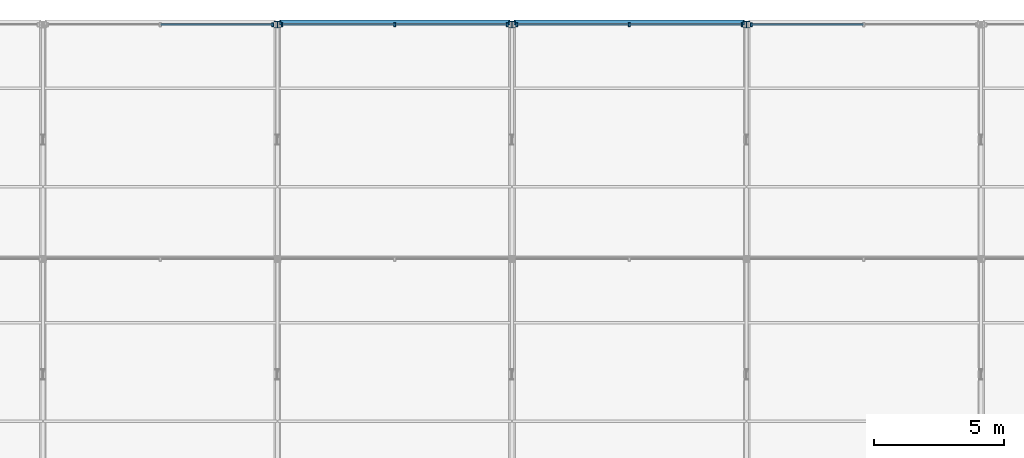
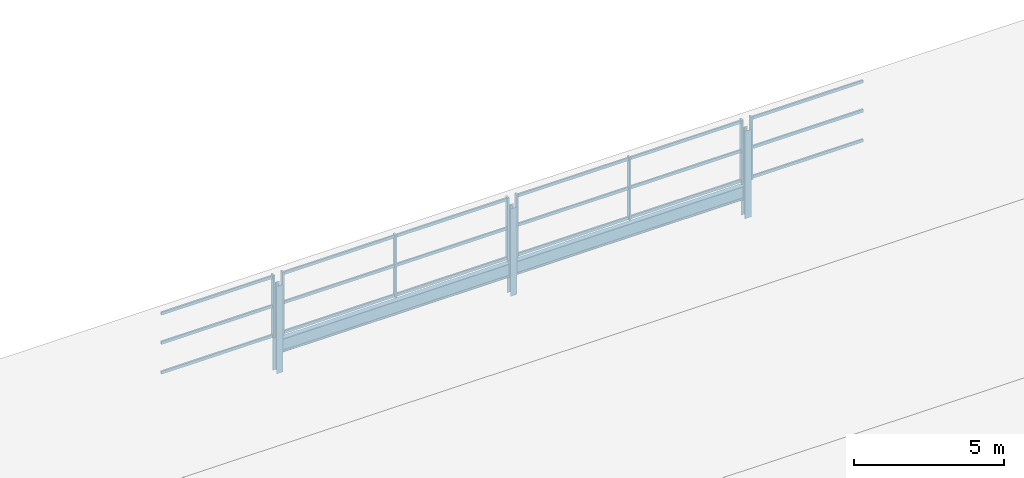
# One storey, part 104 of 163: 29 members, 2 beams, 4 elements without a shape of their own.
"""IFC4 building model written with IfcOpenShell, lengths in metres."""

from ifc_helpers import new_model, si_unit, direction, frame, origin, origin_2d, place, context, subcontext, project, spatial, rectangle, i_section, extrude, material, material_profile, profile_set, type_object, element, aggregate, save


model = new_model("IFC4")

# Units and contexts
model_context = context("Model", 3, precision=1e-05, world=origin(), true_north=direction((0.0, 1.0)))
body_context = subcontext(model_context, "Body", "Model", "MODEL_VIEW")
ifc_project = project(units=[si_unit("LENGTHUNIT", "METRE"), si_unit("AREAUNIT", "SQUARE_METRE"), si_unit("VOLUMEUNIT", "CUBIC_METRE"), si_unit("PLANEANGLEUNIT", "RADIAN"), si_unit("MASSUNIT", "GRAM", prefix="KILO")], contexts=[model_context])

# Site, building, storey
site_placement = place(None, origin())
site = spatial("IfcSite", under=ifc_project, at=site_placement, CompositionType="ELEMENT")
building_placement = place(site_placement, origin())
building = spatial("IfcBuilding", under=site, at=building_placement, Name="Tharagai Park Tramway Depot", CompositionType="ELEMENT")
storey_placement = place(building_placement, frame((0.0, 0.0, 8.39990234375)))
storey = spatial("IfcBuildingStorey", under=building, at=storey_placement, Name="L02", CompositionType="ELEMENT", Elevation=8.39990234375)

# Beams
ifc_material_1 = material(Name="Steel E350", Category="steel")
ifc_material_profile_1 = material_profile(ifc_material_1, i_section(OverallWidth=0.18994140625, OverallDepth=0.550048828125, WebThickness=0.01123046875, FlangeThickness=0.019287109375, FilletRadius=0.01806640625, at=origin_2d()), Name="ISMB 550")
ifc_profile_set_1 = profile_set([ifc_material_profile_1], Name="Steel E350")
beam_type = type_object("IfcBeamType", Name="BM-09", PredefinedType="BEAM", material=ifc_profile_set_1)
for number, where, z_axis, x_axis, name in (
    (1, (99.080078125, 144.0, 0.72509765625), (1.0, 0.0, 0.0), (0.0, 1.0, 0.0), "Sawtooth Valley Girder BM-09"),
    (2, (108.080078125, 144.0, 0.72509765625), (1.0, 0.0, 0.0), (0.0, 1.0, 0.0), "Sawtooth Valley Girder BM-09"),
):
    element("IfcBeam", number, at=place(storey_placement, frame(where, z_axis=z_axis, x_axis=x_axis)), inside=storey, type_object=beam_type, Name=name, PredefinedType="BEAM", context=body_context, shape_type="SweptSolid", body=[
        extrude(i_section(OverallWidth=0.18994140625, OverallDepth=0.550048828125, WebThickness=0.01123046875, FlangeThickness=0.019287109375, FilletRadius=0.01806640625, at=origin_2d()), origin(), (0.0, 0.0, 1.0), 8.83984375),
    ])

# Members
ifc_material_profile_2 = material_profile(ifc_material_1, i_section(OverallWidth=0.25, OverallDepth=0.25, WebThickness=0.0087890625, FlangeThickness=0.009765625, FilletRadius=0.010009765625, at=origin_2d()), Name="ISHB 250")
ifc_profile_set_2 = profile_set([ifc_material_profile_2], Name="Steel E350")
member_type_1 = type_object("IfcMemberType", Name="BR-01", PredefinedType="BRACE", material=ifc_profile_set_2)
for number, where, z_axis, x_axis, name in (
    (3, (99.0, 143.919921875, -0.25), (0.0, 0.0, 1.0), (1.0, 0.0, 0.0), "Sawtooth North Vertical Post BR-01"),
    (4, (108.0, 143.919921875, -0.25), (0.0, 0.0, 1.0), (1.0, 0.0, 0.0), "Sawtooth North Vertical Post BR-01"),
    (5, (117.0, 143.919921875, -0.25), (0.0, 0.0, 1.0), (1.0, 0.0, 0.0), "Sawtooth North Vertical Post BR-01"),
):
    element("IfcMember", number, at=place(storey_placement, frame(where, z_axis=z_axis, x_axis=x_axis)), inside=storey, type_object=member_type_1, Name=name, PredefinedType="BRACE", context=body_context, shape_type="SweptSolid", body=[
        extrude(i_section(OverallWidth=0.25, OverallDepth=0.25, WebThickness=0.0087890625, FlangeThickness=0.009765625, FilletRadius=0.010009765625, at=origin_2d()), origin(), (0.0, 0.0, 1.0), 3.55517578125),
    ])

# Curtain wall, members
ifc_material_2 = material(Name="Anodised aluminium", Category="aluminium")
curtain_wall_type = type_object("IfcCurtainWallType", Name="CW-03", PredefinedType="NOTDEFINED", material=ifc_material_2)
curtain_wall_1_placement = place(storey_placement, origin())
curtain_wall_1 = element("IfcCurtainWall", 6, at=curtain_wall_1_placement, inside=storey, type_object=curtain_wall_type, Name="Sawtooth North-Light Clerestory CW-03", PredefinedType="NOTDEFINED")
ifc_material_profile_3 = material_profile(ifc_material_2, rectangle(XDim=0.06494140625, YDim=0.1201171875, at=origin_2d()), Name="ALU 65x120")
ifc_profile_set_3 = profile_set([ifc_material_profile_3], Name="Anodised aluminium")
member_type_2 = type_object("IfcMemberType", Name="CM-01", PredefinedType="USERDEFINED", material=ifc_profile_set_3)
member_1_placement = place(storey_placement, frame((94.514892578125, 143.919921875, 1.26513671875), z_axis=(1.0, 0.0, 0.0), x_axis=(0.0, 1.0, 0.0)))
member_1 = element("IfcMember", 7, at=member_1_placement, type_object=member_type_2, Name="Sawtooth North-Light Clerestory Transom 2.1", ObjectType="TRANSOM", PredefinedType="USERDEFINED", context=body_context, shape_type="SweptSolid", body=[
    extrude(rectangle(XDim=0.06494140625, YDim=0.1201171875, at=origin_2d()), origin(), (0.0, 0.0, 1.0), 4.2900390625),
])
member_2_placement = place(storey_placement, frame((94.514892578125, 143.919921875, 2.4736328125), z_axis=(1.0, 0.0, 0.0), x_axis=(0.0, 1.0, 0.0)))
member_2 = element("IfcMember", 8, at=member_2_placement, type_object=member_type_2, Name="Sawtooth North-Light Clerestory Transom 2.2", ObjectType="TRANSOM", PredefinedType="USERDEFINED", context=body_context, shape_type="SweptSolid", body=[
    extrude(rectangle(XDim=0.06494140625, YDim=0.1201171875, at=origin_2d()), origin(), (0.0, 0.0, 1.0), 4.2900390625),
])
member_3_placement = place(storey_placement, frame((94.514892578125, 143.919921875, 3.662353515625), z_axis=(1.0, 0.0, 0.0), x_axis=(0.0, 1.0, 0.0)))
member_3 = element("IfcMember", 9, at=member_3_placement, type_object=member_type_2, Name="Sawtooth North-Light Clerestory Transom 2.3", ObjectType="TRANSOM", PredefinedType="USERDEFINED", context=body_context, shape_type="SweptSolid", body=[
    extrude(rectangle(XDim=0.06494140625, YDim=0.1201171875, at=origin_2d()), origin(), (0.0, 0.0, 1.0), 4.2900390625),
])

curtain_wall_2_placement = place(storey_placement, origin())
curtain_wall_2 = element("IfcCurtainWall", 10, at=curtain_wall_2_placement, inside=storey, type_object=curtain_wall_type, Name="Sawtooth North-Light Clerestory CW-03", PredefinedType="NOTDEFINED")
member_4_placement = place(storey_placement, frame((99.195068359375, 143.919921875, 1.26513671875), z_axis=(1.0, 0.0, 0.0), x_axis=(0.0, 1.0, 0.0)))
member_4 = element("IfcMember", 11, at=member_4_placement, type_object=member_type_2, Name="Sawtooth North-Light Clerestory Transom 1.1", ObjectType="TRANSOM", PredefinedType="USERDEFINED", context=body_context, shape_type="SweptSolid", body=[
    extrude(rectangle(XDim=0.06494140625, YDim=0.1201171875, at=origin_2d()), origin(), (0.0, 0.0, 1.0), 4.2900390625),
])
member_5_placement = place(storey_placement, frame((99.195068359375, 143.919921875, 2.4736328125), z_axis=(1.0, 0.0, 0.0), x_axis=(0.0, 1.0, 0.0)))
member_5 = element("IfcMember", 12, at=member_5_placement, type_object=member_type_2, Name="Sawtooth North-Light Clerestory Transom 1.2", ObjectType="TRANSOM", PredefinedType="USERDEFINED", context=body_context, shape_type="SweptSolid", body=[
    extrude(rectangle(XDim=0.06494140625, YDim=0.1201171875, at=origin_2d()), origin(), (0.0, 0.0, 1.0), 4.2900390625),
])
member_6_placement = place(storey_placement, frame((99.195068359375, 143.919921875, 3.662353515625), z_axis=(1.0, 0.0, 0.0), x_axis=(0.0, 1.0, 0.0)))
member_6 = element("IfcMember", 13, at=member_6_placement, type_object=member_type_2, Name="Sawtooth North-Light Clerestory Transom 1.3", ObjectType="TRANSOM", PredefinedType="USERDEFINED", context=body_context, shape_type="SweptSolid", body=[
    extrude(rectangle(XDim=0.06494140625, YDim=0.1201171875, at=origin_2d()), origin(), (0.0, 0.0, 1.0), 4.2900390625),
])
member_7_placement = place(storey_placement, frame((103.514892578125, 143.919921875, 1.26513671875), z_axis=(1.0, 0.0, 0.0), x_axis=(0.0, 1.0, 0.0)))
member_7 = element("IfcMember", 14, at=member_7_placement, type_object=member_type_2, Name="Sawtooth North-Light Clerestory Transom 2.1", ObjectType="TRANSOM", PredefinedType="USERDEFINED", context=body_context, shape_type="SweptSolid", body=[
    extrude(rectangle(XDim=0.06494140625, YDim=0.1201171875, at=origin_2d()), origin(), (0.0, 0.0, 1.0), 4.2900390625),
])
member_8_placement = place(storey_placement, frame((103.514892578125, 143.919921875, 2.4736328125), z_axis=(1.0, 0.0, 0.0), x_axis=(0.0, 1.0, 0.0)))
member_8 = element("IfcMember", 15, at=member_8_placement, type_object=member_type_2, Name="Sawtooth North-Light Clerestory Transom 2.2", ObjectType="TRANSOM", PredefinedType="USERDEFINED", context=body_context, shape_type="SweptSolid", body=[
    extrude(rectangle(XDim=0.06494140625, YDim=0.1201171875, at=origin_2d()), origin(), (0.0, 0.0, 1.0), 4.2900390625),
])
member_9_placement = place(storey_placement, frame((103.514892578125, 143.919921875, 3.662353515625), z_axis=(1.0, 0.0, 0.0), x_axis=(0.0, 1.0, 0.0)))
member_9 = element("IfcMember", 16, at=member_9_placement, type_object=member_type_2, Name="Sawtooth North-Light Clerestory Transom 2.3", ObjectType="TRANSOM", PredefinedType="USERDEFINED", context=body_context, shape_type="SweptSolid", body=[
    extrude(rectangle(XDim=0.06494140625, YDim=0.1201171875, at=origin_2d()), origin(), (0.0, 0.0, 1.0), 4.2900390625),
])

curtain_wall_3_placement = place(storey_placement, origin())
curtain_wall_3 = element("IfcCurtainWall", 17, at=curtain_wall_3_placement, inside=storey, type_object=curtain_wall_type, Name="Sawtooth North-Light Clerestory CW-03", PredefinedType="NOTDEFINED")
member_10_placement = place(storey_placement, frame((108.195068359375, 143.919921875, 1.26513671875), z_axis=(1.0, 0.0, 0.0), x_axis=(0.0, 1.0, 0.0)))
member_10 = element("IfcMember", 18, at=member_10_placement, type_object=member_type_2, Name="Sawtooth North-Light Clerestory Transom 1.1", ObjectType="TRANSOM", PredefinedType="USERDEFINED", context=body_context, shape_type="SweptSolid", body=[
    extrude(rectangle(XDim=0.06494140625, YDim=0.1201171875, at=origin_2d()), origin(), (0.0, 0.0, 1.0), 4.2900390625),
])
member_11_placement = place(storey_placement, frame((108.195068359375, 143.919921875, 2.4736328125), z_axis=(1.0, 0.0, 0.0), x_axis=(0.0, 1.0, 0.0)))
member_11 = element("IfcMember", 19, at=member_11_placement, type_object=member_type_2, Name="Sawtooth North-Light Clerestory Transom 1.2", ObjectType="TRANSOM", PredefinedType="USERDEFINED", context=body_context, shape_type="SweptSolid", body=[
    extrude(rectangle(XDim=0.06494140625, YDim=0.1201171875, at=origin_2d()), origin(), (0.0, 0.0, 1.0), 4.2900390625),
])
member_12_placement = place(storey_placement, frame((108.195068359375, 143.919921875, 3.662353515625), z_axis=(1.0, 0.0, 0.0), x_axis=(0.0, 1.0, 0.0)))
member_12 = element("IfcMember", 20, at=member_12_placement, type_object=member_type_2, Name="Sawtooth North-Light Clerestory Transom 1.3", ObjectType="TRANSOM", PredefinedType="USERDEFINED", context=body_context, shape_type="SweptSolid", body=[
    extrude(rectangle(XDim=0.06494140625, YDim=0.1201171875, at=origin_2d()), origin(), (0.0, 0.0, 1.0), 4.2900390625),
])
member_13_placement = place(storey_placement, frame((112.514892578125, 143.919921875, 1.26513671875), z_axis=(1.0, 0.0, 0.0), x_axis=(0.0, 1.0, 0.0)))
member_13 = element("IfcMember", 21, at=member_13_placement, type_object=member_type_2, Name="Sawtooth North-Light Clerestory Transom 2.1", ObjectType="TRANSOM", PredefinedType="USERDEFINED", context=body_context, shape_type="SweptSolid", body=[
    extrude(rectangle(XDim=0.06494140625, YDim=0.1201171875, at=origin_2d()), origin(), (0.0, 0.0, 1.0), 4.2900390625),
])
member_14_placement = place(storey_placement, frame((112.514892578125, 143.919921875, 2.4736328125), z_axis=(1.0, 0.0, 0.0), x_axis=(0.0, 1.0, 0.0)))
member_14 = element("IfcMember", 22, at=member_14_placement, type_object=member_type_2, Name="Sawtooth North-Light Clerestory Transom 2.2", ObjectType="TRANSOM", PredefinedType="USERDEFINED", context=body_context, shape_type="SweptSolid", body=[
    extrude(rectangle(XDim=0.06494140625, YDim=0.1201171875, at=origin_2d()), origin(), (0.0, 0.0, 1.0), 4.2900390625),
])
member_15_placement = place(storey_placement, frame((112.514892578125, 143.919921875, 3.662353515625), z_axis=(1.0, 0.0, 0.0), x_axis=(0.0, 1.0, 0.0)))
member_15 = element("IfcMember", 23, at=member_15_placement, type_object=member_type_2, Name="Sawtooth North-Light Clerestory Transom 2.3", ObjectType="TRANSOM", PredefinedType="USERDEFINED", context=body_context, shape_type="SweptSolid", body=[
    extrude(rectangle(XDim=0.06494140625, YDim=0.1201171875, at=origin_2d()), origin(), (0.0, 0.0, 1.0), 4.2900390625),
])

curtain_wall_4_placement = place(storey_placement, origin())
curtain_wall_4 = element("IfcCurtainWall", 24, at=curtain_wall_4_placement, inside=storey, type_object=curtain_wall_type, Name="Sawtooth North-Light Clerestory CW-03", PredefinedType="NOTDEFINED")
member_16_placement = place(storey_placement, frame((117.195068359375, 143.919921875, 1.26513671875), z_axis=(1.0, 0.0, 0.0), x_axis=(0.0, 1.0, 0.0)))
member_16 = element("IfcMember", 25, at=member_16_placement, type_object=member_type_2, Name="Sawtooth North-Light Clerestory Transom 1.1", ObjectType="TRANSOM", PredefinedType="USERDEFINED", context=body_context, shape_type="SweptSolid", body=[
    extrude(rectangle(XDim=0.06494140625, YDim=0.1201171875, at=origin_2d()), origin(), (0.0, 0.0, 1.0), 4.2900390625),
])
member_17_placement = place(storey_placement, frame((117.195068359375, 143.919921875, 2.4736328125), z_axis=(1.0, 0.0, 0.0), x_axis=(0.0, 1.0, 0.0)))
member_17 = element("IfcMember", 26, at=member_17_placement, type_object=member_type_2, Name="Sawtooth North-Light Clerestory Transom 1.2", ObjectType="TRANSOM", PredefinedType="USERDEFINED", context=body_context, shape_type="SweptSolid", body=[
    extrude(rectangle(XDim=0.06494140625, YDim=0.1201171875, at=origin_2d()), origin(), (0.0, 0.0, 1.0), 4.2900390625),
])
member_18_placement = place(storey_placement, frame((117.195068359375, 143.919921875, 3.662353515625), z_axis=(1.0, 0.0, 0.0), x_axis=(0.0, 1.0, 0.0)))
member_18 = element("IfcMember", 27, at=member_18_placement, type_object=member_type_2, Name="Sawtooth North-Light Clerestory Transom 1.3", ObjectType="TRANSOM", PredefinedType="USERDEFINED", context=body_context, shape_type="SweptSolid", body=[
    extrude(rectangle(XDim=0.06494140625, YDim=0.1201171875, at=origin_2d()), origin(), (0.0, 0.0, 1.0), 4.2900390625),
])

# Member
ifc_material_profile_4 = material_profile(ifc_material_2, rectangle(XDim=0.06494140625, YDim=0.14990234375, at=origin_2d()), Name="ALU 65x150")
ifc_profile_set_4 = profile_set([ifc_material_profile_4], Name="Anodised aluminium")
member_type_3 = type_object("IfcMemberType", Name="CM-03", PredefinedType="MULLION", material=ifc_profile_set_4)
member_19_placement = place(storey_placement, frame((98.820068359375, 143.919921875, 1.2001953125), z_axis=(0.0, 0.0, 1.0), x_axis=(1.0, 0.0, 0.0)))
member_19 = element("IfcMember", 28, at=member_19_placement, type_object=member_type_3, Name="Sawtooth North-Light Clerestory Mullion 3", PredefinedType="MULLION", context=body_context, shape_type="SweptSolid", body=[
    extrude(rectangle(XDim=0.06494140625, YDim=0.14990234375, at=origin_2d()), origin(), (0.0, 0.0, 1.0), 2.547119140625),
])

aggregate(curtain_wall_1, [member_19, member_1, member_2, member_3])

member_20_placement = place(storey_placement, frame((99.179931640625, 143.919921875, 1.2001953125), z_axis=(0.0, 0.0, 1.0), x_axis=(1.0, 0.0, 0.0)))
member_20 = element("IfcMember", 29, at=member_20_placement, type_object=member_type_3, Name="Sawtooth North-Light Clerestory Mullion 1", PredefinedType="MULLION", context=body_context, shape_type="SweptSolid", body=[
    extrude(rectangle(XDim=0.06494140625, YDim=0.14990234375, at=origin_2d()), origin(), (0.0, 0.0, 1.0), 2.547119140625),
])

member_21_placement = place(storey_placement, frame((103.5, 143.919921875, 1.2001953125), z_axis=(0.0, 0.0, 1.0), x_axis=(1.0, 0.0, 0.0)))
member_21 = element("IfcMember", 30, at=member_21_placement, type_object=member_type_3, Name="Sawtooth North-Light Clerestory Mullion 2", PredefinedType="MULLION", context=body_context, shape_type="SweptSolid", body=[
    extrude(rectangle(XDim=0.06494140625, YDim=0.14990234375, at=origin_2d()), origin(), (0.0, 0.0, 1.0), 2.547119140625),
])

member_22_placement = place(storey_placement, frame((107.820068359375, 143.919921875, 1.2001953125), z_axis=(0.0, 0.0, 1.0), x_axis=(1.0, 0.0, 0.0)))
member_22 = element("IfcMember", 31, at=member_22_placement, type_object=member_type_3, Name="Sawtooth North-Light Clerestory Mullion 3", PredefinedType="MULLION", context=body_context, shape_type="SweptSolid", body=[
    extrude(rectangle(XDim=0.06494140625, YDim=0.14990234375, at=origin_2d()), origin(), (0.0, 0.0, 1.0), 2.547119140625),
])

aggregate(curtain_wall_2, [member_20, member_21, member_22, member_4, member_5, member_6, member_7, member_8, member_9])

member_23_placement = place(storey_placement, frame((108.179931640625, 143.919921875, 1.2001953125), z_axis=(0.0, 0.0, 1.0), x_axis=(1.0, 0.0, 0.0)))
member_23 = element("IfcMember", 32, at=member_23_placement, type_object=member_type_3, Name="Sawtooth North-Light Clerestory Mullion 1", PredefinedType="MULLION", context=body_context, shape_type="SweptSolid", body=[
    extrude(rectangle(XDim=0.06494140625, YDim=0.14990234375, at=origin_2d()), origin(), (0.0, 0.0, 1.0), 2.547119140625),
])

member_24_placement = place(storey_placement, frame((112.5, 143.919921875, 1.2001953125), z_axis=(0.0, 0.0, 1.0), x_axis=(1.0, 0.0, 0.0)))
member_24 = element("IfcMember", 33, at=member_24_placement, type_object=member_type_3, Name="Sawtooth North-Light Clerestory Mullion 2", PredefinedType="MULLION", context=body_context, shape_type="SweptSolid", body=[
    extrude(rectangle(XDim=0.06494140625, YDim=0.14990234375, at=origin_2d()), origin(), (0.0, 0.0, 1.0), 2.547119140625),
])

member_25_placement = place(storey_placement, frame((116.820068359375, 143.919921875, 1.2001953125), z_axis=(0.0, 0.0, 1.0), x_axis=(1.0, 0.0, 0.0)))
member_25 = element("IfcMember", 34, at=member_25_placement, type_object=member_type_3, Name="Sawtooth North-Light Clerestory Mullion 3", PredefinedType="MULLION", context=body_context, shape_type="SweptSolid", body=[
    extrude(rectangle(XDim=0.06494140625, YDim=0.14990234375, at=origin_2d()), origin(), (0.0, 0.0, 1.0), 2.547119140625),
])

aggregate(curtain_wall_3, [member_23, member_24, member_25, member_10, member_11, member_12, member_13, member_14, member_15])

member_26_placement = place(storey_placement, frame((117.179931640625, 143.919921875, 1.2001953125), z_axis=(0.0, 0.0, 1.0), x_axis=(1.0, 0.0, 0.0)))
member_26 = element("IfcMember", 35, at=member_26_placement, type_object=member_type_3, Name="Sawtooth North-Light Clerestory Mullion 1", PredefinedType="MULLION", context=body_context, shape_type="SweptSolid", body=[
    extrude(rectangle(XDim=0.06494140625, YDim=0.14990234375, at=origin_2d()), origin(), (0.0, 0.0, 1.0), 2.547119140625),
])

aggregate(curtain_wall_4, [member_26, member_16, member_17, member_18])

save(model, "model.ifc")
